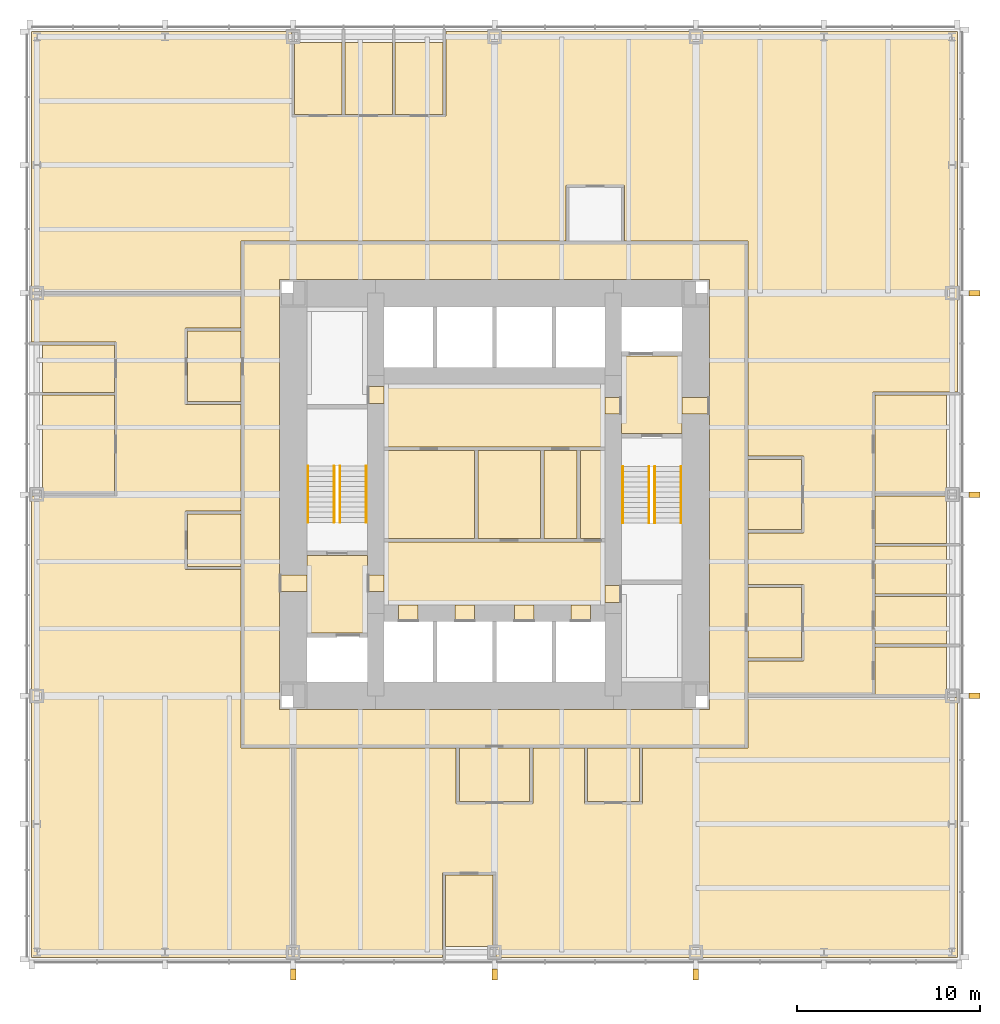
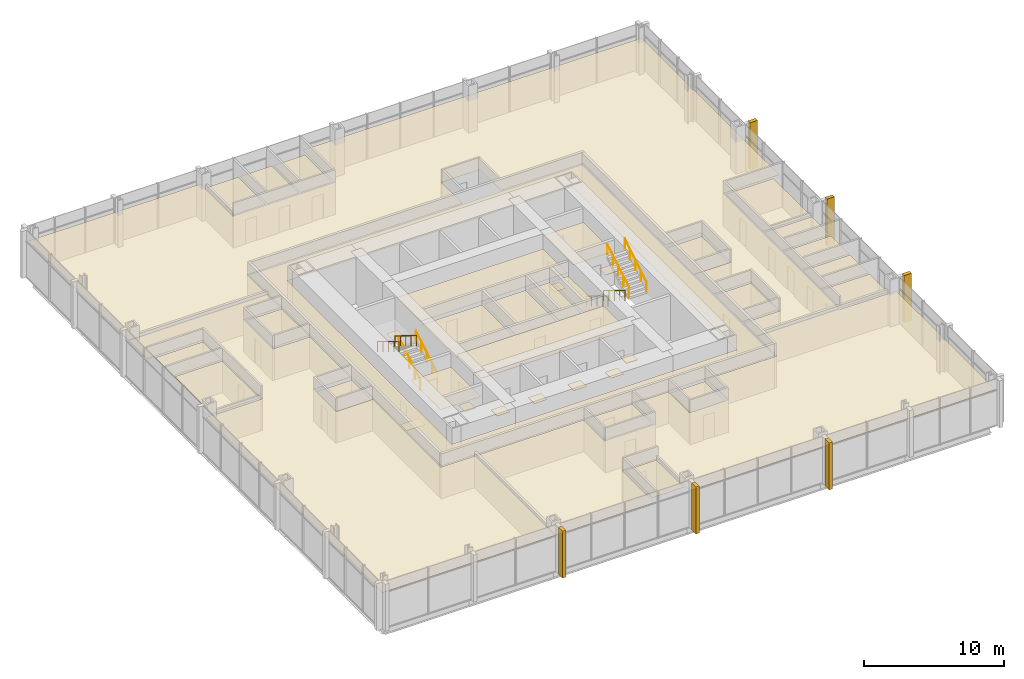
# One storey, part 12 of 12: 45 coverings, 8 railings.
"""IFC4 building model written with IfcOpenShell, lengths in metres."""

from ifc_helpers import new_model, si_unit, direction, frame, origin, origin_2d, place, context, subcontext, project, spatial, polyline, rectangle, circle, outline, extrude, material, layer, layer_set, type_object, element, save


model = new_model("IFC4")

# Units and contexts
model_context = context("Model", 3, precision=1e-05, world=origin(), true_north=direction((0.0, 1.0)))
body_context = subcontext(model_context, "Body", "Model", "MODEL_VIEW")
ifc_project = project(units=[si_unit("LENGTHUNIT", "METRE"), si_unit("AREAUNIT", "SQUARE_METRE"), si_unit("VOLUMEUNIT", "CUBIC_METRE"), si_unit("PLANEANGLEUNIT", "RADIAN"), si_unit("MASSUNIT", "GRAM", prefix="KILO")], contexts=[model_context])

# Site, building, storey
site_placement = place(None, origin())
site = spatial("IfcSite", under=ifc_project, at=site_placement, CompositionType="ELEMENT")
building_placement = place(site_placement, origin())
building = spatial("IfcBuilding", under=site, at=building_placement, Name="Trevanion Tower", CompositionType="ELEMENT")
storey_placement = place(building_placement, frame((0.0, 0.0, 40.60009765625)))
storey = spatial("IfcBuildingStorey", under=building, at=storey_placement, Name="L09", CompositionType="ELEMENT", Elevation=40.60009765625)

# Coverings
ifc_material_1 = material(Name="Fibrous plaster coffers on suspended steel grid", Category="steel")
ifc_layer_1 = layer(ifc_material_1, 0.050048828125)
ifc_layer_set_1 = layer_set([ifc_layer_1], Name="CL1 coffered fibrous plaster ceiling 50")
covering_type_1 = type_object("IfcCoveringType", Name="CL1 coffered fibrous plaster ceiling 50", PredefinedType="CEILING", material=ifc_layer_set_1)
covering_1_placement = place(storey_placement, frame((0.0, 0.0, 3.0)))
element("IfcCovering", 1, at=covering_1_placement, inside=storey, type_object=covering_type_1, Name="CL1 L09-LBS", PredefinedType="CEILING", context=body_context, shape_type="SweptSolid", body=[
    extrude(outline(polyline([(6.050048828125, -6.050048828125), (6.050048828125, -2.60009765625), (-6.050048828125, -2.60009765625), (-6.050048828125, -6.050048828125), (6.050048828125, -6.050048828125)])), origin(), (0.0, 0.0, 1.0), 0.0498046875),
])
ifc_material_2 = material(Name="Mineral fibre acoustic tiles in exposed grid", Category="mineral fibre")
ifc_layer_2 = layer(ifc_material_2, 0.02001953125)
ifc_layer_set_2 = layer_set([ifc_layer_2], Name="CL2 acoustic tile ceiling 20")
covering_type_2 = type_object("IfcCoveringType", Name="CL2 acoustic tile ceiling 20", PredefinedType="CEILING", material=ifc_layer_set_2)
covering_2_placement = place(storey_placement, frame((0.0, 0.0, 2.75)))
element("IfcCovering", 2, at=covering_2_placement, inside=storey, type_object=covering_type_2, Name="CL2 L09-LBN", PredefinedType="CEILING", context=body_context, shape_type="SweptSolid", body=[
    extrude(outline(polyline([(6.050048828125, 2.60009765625), (6.050048828125, 6.050048828125), (-6.050048828125, 6.050048828125), (-6.050048828125, 2.60009765625), (6.050048828125, 2.60009765625)])), origin(), (0.0, 0.0, 1.0), 0.02001953125),
])
covering_3_placement = place(storey_placement, frame((0.0, 0.0, 2.75)))
element("IfcCovering", 3, at=covering_3_placement, inside=storey, type_object=covering_type_2, Name="CL2 L09-CO", PredefinedType="CEILING", context=body_context, shape_type="SweptSolid", body=[
    extrude(outline(polyline([(-13.75, 13.75), (13.75, 13.75), (13.75, -13.75), (-13.75, -13.75), (-13.75, 13.75)]), holes=[polyline([(-11.75, 11.75), (-11.75, -11.75), (11.75, -11.75), (11.75, 11.75), (-11.75, 11.75)])]), origin(), (0.0, 0.0, 1.0), 0.02001953125),
])
covering_4_placement = place(storey_placement, frame((0.0, 0.0, 2.75)))
element("IfcCovering", 4, at=covering_4_placement, inside=storey, type_object=covering_type_2, Name="CL2 L09-OF", PredefinedType="CEILING", context=body_context, shape_type="SweptSolid", body=[
    extrude(outline(polyline([(20.77490234375, -10.925048828125), (20.77490234375, -8.324951171875), (24.699951171875, -8.324951171875), (24.699951171875, -10.925048828125), (20.77490234375, -10.925048828125)])), origin(), (0.0, 0.0, 1.0), 0.02001953125),
])
covering_5_placement = place(storey_placement, frame((0.0, 0.0, 2.75)))
element("IfcCovering", 5, at=covering_5_placement, inside=storey, type_object=covering_type_2, Name="CL2 L09-OF2", PredefinedType="CEILING", context=body_context, shape_type="SweptSolid", body=[
    extrude(outline(polyline([(20.77490234375, -8.175048828125), (20.77490234375, -5.574951171875), (24.699951171875, -5.574951171875), (24.699951171875, -8.175048828125), (20.77490234375, -8.175048828125)])), origin(), (0.0, 0.0, 1.0), 0.02001953125),
])
covering_6_placement = place(storey_placement, frame((0.0, 0.0, 2.75)))
element("IfcCovering", 6, at=covering_6_placement, inside=storey, type_object=covering_type_2, Name="CL2 L09-OF3", PredefinedType="CEILING", context=body_context, shape_type="SweptSolid", body=[
    extrude(outline(polyline([(20.77490234375, -5.425048828125), (20.77490234375, -2.824951171875), (24.699951171875, -2.824951171875), (24.699951171875, -5.425048828125), (20.77490234375, -5.425048828125)])), origin(), (0.0, 0.0, 1.0), 0.02001953125),
])
covering_7_placement = place(storey_placement, frame((0.0, 0.0, 2.75)))
element("IfcCovering", 7, at=covering_7_placement, inside=storey, type_object=covering_type_2, Name="CL2 L09-OF4", PredefinedType="CEILING", context=body_context, shape_type="SweptSolid", body=[
    extrude(outline(polyline([(20.77490234375, -2.675048828125), (20.77490234375, -0.074951171875), (24.699951171875, -0.074951171875), (24.699951171875, -2.675048828125), (20.77490234375, -2.675048828125)])), origin(), (0.0, 0.0, 1.0), 0.02001953125),
])
covering_8_placement = place(storey_placement, frame((0.0, 0.0, 2.75)))
element("IfcCovering", 8, at=covering_8_placement, inside=storey, type_object=covering_type_2, Name="CL2 L09-MR", PredefinedType="CEILING", context=body_context, shape_type="SweptSolid", body=[
    extrude(outline(polyline([(20.77490234375, 0.074951171875), (20.77490234375, 5.425048828125), (24.699951171875, 5.425048828125), (24.699951171875, 0.074951171875), (20.77490234375, 0.074951171875)])), origin(), (0.0, 0.0, 1.0), 0.02001953125),
])
covering_9_placement = place(storey_placement, frame((0.0, 0.0, 2.75)))
element("IfcCovering", 9, at=covering_9_placement, inside=storey, type_object=covering_type_2, Name="CL2 L09-OF5", PredefinedType="CEILING", context=body_context, shape_type="SweptSolid", body=[
    extrude(outline(polyline([(-2.824951171875, 20.77490234375), (-5.425048828125, 20.77490234375), (-5.425048828125, 24.699951171875), (-2.824951171875, 24.699951171875), (-2.824951171875, 20.77490234375)])), origin(), (0.0, 0.0, 1.0), 0.02001953125),
])
covering_10_placement = place(storey_placement, frame((0.0, 0.0, 2.75)))
element("IfcCovering", 10, at=covering_10_placement, inside=storey, type_object=covering_type_2, Name="CL2 L09-OF6", PredefinedType="CEILING", context=body_context, shape_type="SweptSolid", body=[
    extrude(outline(polyline([(-5.574951171875, 20.77490234375), (-8.175048828125, 20.77490234375), (-8.175048828125, 24.699951171875), (-5.574951171875, 24.699951171875), (-5.574951171875, 20.77490234375)])), origin(), (0.0, 0.0, 1.0), 0.02001953125),
])
covering_11_placement = place(storey_placement, frame((0.0, 0.0, 2.75)))
element("IfcCovering", 11, at=covering_11_placement, inside=storey, type_object=covering_type_2, Name="CL2 L09-OF7", PredefinedType="CEILING", context=body_context, shape_type="SweptSolid", body=[
    extrude(outline(polyline([(-8.324951171875, 20.77490234375), (-10.925048828125, 20.77490234375), (-10.925048828125, 24.699951171875), (-8.324951171875, 24.699951171875), (-8.324951171875, 20.77490234375)])), origin(), (0.0, 0.0, 1.0), 0.02001953125),
])
covering_12_placement = place(storey_placement, frame((0.0, 0.0, 2.75)))
element("IfcCovering", 12, at=covering_12_placement, inside=storey, type_object=covering_type_2, Name="CL2 L09-OF8", PredefinedType="CEILING", context=body_context, shape_type="SweptSolid", body=[
    extrude(outline(polyline([(-20.77490234375, 8.175048828125), (-20.77490234375, 5.574951171875), (-24.699951171875, 5.574951171875), (-24.699951171875, 8.175048828125), (-20.77490234375, 8.175048828125)])), origin(), (0.0, 0.0, 1.0), 0.02001953125),
])
covering_13_placement = place(storey_placement, frame((0.0, 0.0, 2.75)))
element("IfcCovering", 13, at=covering_13_placement, inside=storey, type_object=covering_type_2, Name="CL2 L09-MR2", PredefinedType="CEILING", context=body_context, shape_type="SweptSolid", body=[
    extrude(outline(polyline([(-20.77490234375, 5.425048828125), (-20.77490234375, 0.074951171875), (-24.699951171875, 0.074951171875), (-24.699951171875, 5.425048828125), (-20.77490234375, 5.425048828125)])), origin(), (0.0, 0.0, 1.0), 0.02001953125),
])
covering_14_placement = place(storey_placement, frame((0.0, 0.0, 2.75)))
element("IfcCovering", 14, at=covering_14_placement, inside=storey, type_object=covering_type_2, Name="CL2 L09-FR", PredefinedType="CEILING", context=body_context, shape_type="SweptSolid", body=[
    extrude(outline(polyline([(-2.675048828125, -20.77490234375), (-0.074951171875, -20.77490234375), (-0.074951171875, -24.699951171875), (-2.675048828125, -24.699951171875), (-2.675048828125, -20.77490234375)])), origin(), (0.0, 0.0, 1.0), 0.02001953125),
])
covering_15_placement = place(storey_placement, frame((0.0, 0.0, 2.75)))
element("IfcCovering", 15, at=covering_15_placement, inside=storey, type_object=covering_type_2, Name="CL2 L09-RC", PredefinedType="CEILING", context=body_context, shape_type="SweptSolid", body=[
    extrude(outline(polyline([(13.85009765625, -8.925048828125), (13.85009765625, -5.074951171875), (16.77490234375, -5.074951171875), (16.77490234375, -8.925048828125), (13.85009765625, -8.925048828125)])), origin(), (0.0, 0.0, 1.0), 0.02001953125),
])
covering_16_placement = place(storey_placement, frame((0.0, 0.0, 2.75)))
element("IfcCovering", 16, at=covering_16_placement, inside=storey, type_object=covering_type_2, Name="CL2 L09-RC2", PredefinedType="CEILING", context=body_context, shape_type="SweptSolid", body=[
    extrude(outline(polyline([(-13.85009765625, 8.925048828125), (-13.85009765625, 5.074951171875), (-16.77490234375, 5.074951171875), (-16.77490234375, 8.925048828125), (-13.85009765625, 8.925048828125)])), origin(), (0.0, 0.0, 1.0), 0.02001953125),
])
covering_17_placement = place(storey_placement, frame((0.0, 0.0, 2.75)))
element("IfcCovering", 17, at=covering_17_placement, inside=storey, type_object=covering_type_2, Name="CL2 L09-RC3", PredefinedType="CEILING", context=body_context, shape_type="SweptSolid", body=[
    extrude(outline(polyline([(-1.925048828125, -13.85009765625), (1.925048828125, -13.85009765625), (1.925048828125, -16.77490234375), (-1.925048828125, -16.77490234375), (-1.925048828125, -13.85009765625)])), origin(), (0.0, 0.0, 1.0), 0.02001953125),
])
covering_18_placement = place(storey_placement, frame((0.0, 0.0, 2.75)))
element("IfcCovering", 18, at=covering_18_placement, inside=storey, type_object=covering_type_2, Name="CL2 L09-OP", PredefinedType="CEILING", context=body_context, shape_type="SweptSolid", body=[
    extrude(outline(polyline([(13.85009765625, 13.85009765625), (7.094970703125, 13.85009765625), (7.094970703125, 16.8701171875), (3.905029296875, 16.8701171875), (3.905029296875, 13.85009765625), (-13.85009765625, 13.85009765625), (-13.85009765625, 11.0), (-25.300048828125, 11.0), (-25.300048828125, 25.300048828125), (-11.094970703125, 25.300048828125), (-11.094970703125, 20.679931640625), (-2.655029296875, 20.679931640625), (-2.655029296875, 25.300048828125), (25.300048828125, 25.300048828125), (25.300048828125, 5.594970703125), (20.679931640625, 5.594970703125), (20.679931640625, -11.0), (13.85009765625, -11.0), (13.85009765625, -9.094970703125), (16.8701171875, -9.094970703125), (16.8701171875, -4.905029296875), (13.85009765625, -4.905029296875), (13.85009765625, -2.094970703125), (16.8701171875, -2.094970703125), (16.8701171875, 2.094970703125), (13.85009765625, 2.094970703125), (13.85009765625, 13.85009765625)])), origin(), (0.0, 0.0, 1.0), 0.02001953125),
])
covering_19_placement = place(storey_placement, frame((0.0, 0.0, 2.75)))
element("IfcCovering", 19, at=covering_19_placement, inside=storey, type_object=covering_type_2, Name="CL2 L09-OP2", PredefinedType="CEILING", context=body_context, shape_type="SweptSolid", body=[
    extrude(outline(polyline([(-13.85009765625, 9.094970703125), (-16.8701171875, 9.094970703125), (-16.8701171875, 4.905029296875), (-13.85009765625, 4.905029296875), (-13.85009765625, -0.905029296875), (-16.8701171875, -0.905029296875), (-16.8701171875, -4.094970703125), (-13.85009765625, -4.094970703125), (-13.85009765625, -13.85009765625), (-11.0, -13.85009765625), (-11.0, -25.300048828125), (-25.300048828125, -25.300048828125), (-25.300048828125, -0.094970703125), (-20.679931640625, -0.094970703125), (-20.679931640625, 8.344970703125), (-25.300048828125, 8.344970703125), (-25.300048828125, 11.0), (-13.85009765625, 11.0), (-13.85009765625, 9.094970703125)])), origin(), (0.0, 0.0, 1.0), 0.02001953125),
])
covering_20_placement = place(storey_placement, frame((0.0, 0.0, 2.75)))
element("IfcCovering", 20, at=covering_20_placement, inside=storey, type_object=covering_type_2, Name="CL2 L09-OP3", PredefinedType="CEILING", context=body_context, shape_type="SweptSolid", body=[
    extrude(outline(polyline([(-2.094970703125, -13.85009765625), (-2.094970703125, -16.8701171875), (2.094970703125, -16.8701171875), (2.094970703125, -13.85009765625), (4.905029296875, -13.85009765625), (4.905029296875, -16.8701171875), (8.094970703125, -16.8701171875), (8.094970703125, -13.85009765625), (13.85009765625, -13.85009765625), (13.85009765625, -11.0), (20.679931640625, -11.0), (20.679931640625, -11.094970703125), (25.300048828125, -11.094970703125), (25.300048828125, -25.300048828125), (0.094970703125, -25.300048828125), (0.094970703125, -20.679931640625), (-2.844970703125, -20.679931640625), (-2.844970703125, -25.300048828125), (-11.0, -25.300048828125), (-11.0, -13.85009765625), (-2.094970703125, -13.85009765625)])), origin(), (0.0, 0.0, 1.0), 0.02001953125),
])
ifc_material_3 = material(Name="Gypsum plasterboard on suspended metal furring", Category="gypsum")
ifc_layer_3 = layer(ifc_material_3, 0.012939453125)
ifc_layer_set_3 = layer_set([ifc_layer_3], Name="CL3 plasterboard ceiling 13")
covering_type_3 = type_object("IfcCoveringType", Name="CL3 plasterboard ceiling 13", PredefinedType="CEILING", material=ifc_layer_set_3)
covering_21_placement = place(storey_placement, frame((0.0, 0.0, 2.699951171875)))
element("IfcCovering", 21, at=covering_21_placement, inside=storey, type_object=covering_type_3, Name="CL3 L09-FV1", PredefinedType="CEILING", context=body_context, shape_type="SweptSolid", body=[
    extrude(outline(polyline([(10.25, 3.324951171875), (10.25, 7.574951171875), (6.949951171875, 7.574951171875), (6.949951171875, 3.324951171875), (10.25, 3.324951171875)])), origin(), (0.0, 0.0, 1.0), 0.012939453125),
])
covering_22_placement = place(storey_placement, frame((0.0, 0.0, 2.699951171875)))
element("IfcCovering", 22, at=covering_22_placement, inside=storey, type_object=covering_type_3, Name="CL3 L09-FV2", PredefinedType="CEILING", context=body_context, shape_type="SweptSolid", body=[
    extrude(outline(polyline([(-10.25, -3.324951171875), (-10.25, -7.574951171875), (-6.949951171875, -7.574951171875), (-6.949951171875, -3.324951171875), (-10.25, -3.324951171875)])), origin(), (0.0, 0.0, 1.0), 0.012939453125),
])
ifc_material_4 = material(Name="Moisture-resistant gypsum board on suspended metal furring", Category="gypsum")
ifc_layer_4 = layer(ifc_material_4, 0.01611328125)
ifc_layer_set_4 = layer_set([ifc_layer_4], Name="CL4 moisture-resistant board ceiling 16")
covering_type_4 = type_object("IfcCoveringType", Name="CL4 moisture-resistant board ceiling 16", PredefinedType="CEILING", material=ifc_layer_set_4)
covering_23_placement = place(storey_placement, frame((0.0, 0.0, 2.599853515625)))
element("IfcCovering", 23, at=covering_23_placement, inside=storey, type_object=covering_type_4, Name="CL4 L09-WCM", PredefinedType="CEILING", context=body_context, shape_type="SweptSolid", body=[
    extrude(outline(polyline([(-1.10009765625, -2.39990234375), (-1.10009765625, 2.39990234375), (-6.050048828125, 2.39990234375), (-6.050048828125, -2.39990234375), (-1.10009765625, -2.39990234375)])), origin(), (0.0, 0.0, 1.0), 0.01611328125),
])
covering_24_placement = place(storey_placement, frame((0.0, 0.0, 2.599853515625)))
element("IfcCovering", 24, at=covering_24_placement, inside=storey, type_object=covering_type_4, Name="CL4 L09-WCF", PredefinedType="CEILING", context=body_context, shape_type="SweptSolid", body=[
    extrude(outline(polyline([(2.5, -2.39990234375), (2.5, 2.39990234375), (-0.89990234375, 2.39990234375), (-0.89990234375, -2.39990234375), (2.5, -2.39990234375)])), origin(), (0.0, 0.0, 1.0), 0.01611328125),
])
covering_25_placement = place(storey_placement, frame((0.0, 0.0, 2.599853515625)))
element("IfcCovering", 25, at=covering_25_placement, inside=storey, type_object=covering_type_4, Name="CL4 L09-WCA", PredefinedType="CEILING", context=body_context, shape_type="SweptSolid", body=[
    extrude(outline(polyline([(4.5, -2.39990234375), (4.5, 2.39990234375), (2.699951171875, 2.39990234375), (2.699951171875, -2.39990234375), (4.5, -2.39990234375)])), origin(), (0.0, 0.0, 1.0), 0.01611328125),
])
covering_26_placement = place(storey_placement, frame((0.0, 0.0, 2.599853515625)))
element("IfcCovering", 26, at=covering_26_placement, inside=storey, type_object=covering_type_4, Name="CL4 L09-SH", PredefinedType="CEILING", context=body_context, shape_type="SweptSolid", body=[
    extrude(outline(polyline([(6.050048828125, -2.39990234375), (6.050048828125, 2.39990234375), (4.699951171875, 2.39990234375), (4.699951171875, -2.39990234375), (6.050048828125, -2.39990234375)])), origin(), (0.0, 0.0, 1.0), 0.01611328125),
])
covering_27_placement = place(storey_placement, frame((0.0, 0.0, 2.599853515625)))
element("IfcCovering", 27, at=covering_27_placement, inside=storey, type_object=covering_type_4, Name="CL4 L09-PA", PredefinedType="CEILING", context=body_context, shape_type="SweptSolid", body=[
    extrude(outline(polyline([(13.85009765625, -1.925048828125), (13.85009765625, 1.925048828125), (16.77490234375, 1.925048828125), (16.77490234375, -1.925048828125), (13.85009765625, -1.925048828125)])), origin(), (0.0, 0.0, 1.0), 0.01611328125),
])
covering_28_placement = place(storey_placement, frame((0.0, 0.0, 2.599853515625)))
element("IfcCovering", 28, at=covering_28_placement, inside=storey, type_object=covering_type_4, Name="CL4 L09-PA2", PredefinedType="CEILING", context=body_context, shape_type="SweptSolid", body=[
    extrude(outline(polyline([(-13.85009765625, -1.074951171875), (-13.85009765625, -3.925048828125), (-16.77490234375, -3.925048828125), (-16.77490234375, -1.074951171875), (-13.85009765625, -1.074951171875)])), origin(), (0.0, 0.0, 1.0), 0.01611328125),
])
covering_29_placement = place(storey_placement, frame((0.0, 0.0, 2.599853515625)))
element("IfcCovering", 29, at=covering_29_placement, inside=storey, type_object=covering_type_4, Name="CL4 L09-PA3", PredefinedType="CEILING", context=body_context, shape_type="SweptSolid", body=[
    extrude(outline(polyline([(5.074951171875, -13.85009765625), (7.925048828125, -13.85009765625), (7.925048828125, -16.77490234375), (5.074951171875, -16.77490234375), (5.074951171875, -13.85009765625)])), origin(), (0.0, 0.0, 1.0), 0.01611328125),
])
ifc_material_5 = material(Name="Cast bronze fin on aluminium carrier", Category="aluminium")
covering_type_5 = type_object("IfcCoveringType", Name="F1 bronze fin", PredefinedType="CLADDING", material=ifc_material_5)
for number, where, z_axis, x_axis, name in (
    (30, (26.22509765625, -11.0, -0.190185546875), (0.0, 0.0, 1.0), (0.0, 1.0, 0.0), "F1 L09 east -11.0"),
    (31, (26.22509765625, 0.0, -0.190185546875), (0.0, 0.0, 1.0), (0.0, 1.0, 0.0), "F1 L09 east +0.0"),
    (32, (26.22509765625, 11.0, -0.190185546875), (0.0, 0.0, 1.0), (0.0, 1.0, 0.0), "F1 L09 east +11.0"),
    (33, (-11.0, -26.22509765625, -0.190185546875), (0.0, 0.0, 1.0), (1.0, 0.0, 0.0), "F1 L09 south -11.0"),
    (34, (0.0, -26.22509765625, -0.190185546875), (0.0, 0.0, 1.0), (1.0, 0.0, 0.0), "F1 L09 south +0.0"),
    (35, (11.0, -26.22509765625, -0.190185546875), (0.0, 0.0, 1.0), (1.0, 0.0, 0.0), "F1 L09 south +11.0"),
):
    element("IfcCovering", number, at=place(storey_placement, frame(where, z_axis=z_axis, x_axis=x_axis)), inside=storey, type_object=covering_type_5, Name=name, PredefinedType="CLADDING", context=body_context, shape_type="SweptSolid", body=[
        extrude(rectangle(XDim=0.300048828125, YDim=0.60009765625, at=origin_2d()), origin(), (0.0, 0.0, 1.0), 4.10009765625),
    ])
ifc_material_6 = material(Name="Terrazzo, brass divider strips", Category="stone")
ifc_layer_5 = layer(ifc_material_6, 0.02001953125)
ifc_layer_set_5 = layer_set([ifc_layer_5], Name="FF1 terrazzo flooring")
covering_type_6 = type_object("IfcCoveringType", Name="FF1 terrazzo flooring", PredefinedType="FLOORING", material=ifc_layer_set_5)
covering_30_placement = place(storey_placement, origin())
element("IfcCovering", 36, at=covering_30_placement, inside=storey, type_object=covering_type_6, Name="FF1 threshold 09-001", PredefinedType="FLOORING", context=body_context, shape_type="SweptSolid", body=[
    extrude(outline(polyline([(11.75, 4.392578125), (11.75, 5.3076171875), (10.25, 5.3076171875), (10.25, 4.392578125), (11.75, 4.392578125)])), origin(), (0.0, 0.0, 1.0), 0.02001953125),
])
covering_31_placement = place(storey_placement, origin())
element("IfcCovering", 37, at=covering_31_placement, inside=storey, type_object=covering_type_6, Name="FF1 threshold 09-002", PredefinedType="FLOORING", context=body_context, shape_type="SweptSolid", body=[
    extrude(outline(polyline([(-11.75, -4.392578125), (-11.75, -5.3076171875), (-10.25, -5.3076171875), (-10.25, -4.392578125), (-11.75, -4.392578125)])), origin(), (0.0, 0.0, 1.0), 0.02001953125),
])
covering_32_placement = place(storey_placement, origin())
element("IfcCovering", 38, at=covering_32_placement, inside=storey, type_object=covering_type_6, Name="FF1 threshold 09-003", PredefinedType="FLOORING", context=body_context, shape_type="SweptSolid", body=[
    extrude(outline(polyline([(6.949951171875, 4.392578125), (6.949951171875, 5.3076171875), (6.050048828125, 5.3076171875), (6.050048828125, 4.392578125), (6.949951171875, 4.392578125)])), origin(), (0.0, 0.0, 1.0), 0.02001953125),
])
covering_33_placement = place(storey_placement, origin())
element("IfcCovering", 39, at=covering_33_placement, inside=storey, type_object=covering_type_6, Name="FF1 threshold 09-004", PredefinedType="FLOORING", context=body_context, shape_type="SweptSolid", body=[
    extrude(outline(polyline([(-6.949951171875, -4.392578125), (-6.949951171875, -5.3076171875), (-6.050048828125, -5.3076171875), (-6.050048828125, -4.392578125), (-6.949951171875, -4.392578125)])), origin(), (0.0, 0.0, 1.0), 0.02001953125),
])
covering_34_placement = place(storey_placement, origin())
element("IfcCovering", 40, at=covering_34_placement, inside=storey, type_object=covering_type_6, Name="FF1 threshold 09-009", PredefinedType="FLOORING", context=body_context, shape_type="SweptSolid", body=[
    extrude(outline(polyline([(6.949951171875, -5.889892578125), (6.949951171875, -4.97509765625), (6.050048828125, -4.97509765625), (6.050048828125, -5.889892578125), (6.949951171875, -5.889892578125)])), origin(), (0.0, 0.0, 1.0), 0.02001953125),
])
covering_35_placement = place(storey_placement, origin())
element("IfcCovering", 41, at=covering_35_placement, inside=storey, type_object=covering_type_6, Name="FF1 threshold 09-010", PredefinedType="FLOORING", context=body_context, shape_type="SweptSolid", body=[
    extrude(outline(polyline([(-6.949951171875, 5.889892578125), (-6.949951171875, 4.97509765625), (-6.050048828125, 4.97509765625), (-6.050048828125, 5.889892578125), (-6.949951171875, 5.889892578125)])), origin(), (0.0, 0.0, 1.0), 0.02001953125),
])
covering_36_placement = place(storey_placement, origin())
element("IfcCovering", 42, at=covering_36_placement, inside=storey, type_object=covering_type_6, Name="FF1 threshold 09-011", PredefinedType="FLOORING", context=body_context, shape_type="SweptSolid", body=[
    extrude(outline(polyline([(-5.2333984375, -6.949951171875), (-4.16650390625, -6.949951171875), (-4.16650390625, -6.050048828125), (-5.2333984375, -6.050048828125), (-5.2333984375, -6.949951171875)])), origin(), (0.0, 0.0, 1.0), 0.02001953125),
])
covering_37_placement = place(storey_placement, origin())
element("IfcCovering", 43, at=covering_37_placement, inside=storey, type_object=covering_type_6, Name="FF1 threshold 09-012", PredefinedType="FLOORING", context=body_context, shape_type="SweptSolid", body=[
    extrude(outline(polyline([(-2.158447265625, -6.949951171875), (-1.091552734375, -6.949951171875), (-1.091552734375, -6.050048828125), (-2.158447265625, -6.050048828125), (-2.158447265625, -6.949951171875)])), origin(), (0.0, 0.0, 1.0), 0.02001953125),
])
covering_38_placement = place(storey_placement, origin())
element("IfcCovering", 44, at=covering_38_placement, inside=storey, type_object=covering_type_6, Name="FF1 threshold 09-013", PredefinedType="FLOORING", context=body_context, shape_type="SweptSolid", body=[
    extrude(outline(polyline([(1.091552734375, -6.949951171875), (2.158447265625, -6.949951171875), (2.158447265625, -6.050048828125), (1.091552734375, -6.050048828125), (1.091552734375, -6.949951171875)])), origin(), (0.0, 0.0, 1.0), 0.02001953125),
])
covering_39_placement = place(storey_placement, origin())
element("IfcCovering", 45, at=covering_39_placement, inside=storey, type_object=covering_type_6, Name="FF1 threshold 09-014", PredefinedType="FLOORING", context=body_context, shape_type="SweptSolid", body=[
    extrude(outline(polyline([(4.16650390625, -6.949951171875), (5.2333984375, -6.949951171875), (5.2333984375, -6.050048828125), (4.16650390625, -6.050048828125), (4.16650390625, -6.949951171875)])), origin(), (0.0, 0.0, 1.0), 0.02001953125),
])

# Railings
ifc_material_7 = material(Name="Stainless steel tube 40 mm", Category="steel")
railing_type = type_object("IfcRailingType", Name="HR1 handrail", PredefinedType="HANDRAIL", material=ifc_material_7)
for number, where, name in (
    (46, (7.010009765625, 1.52490234375, 0.170654296875), "HR1 ST1 L09 flight 1"),
    (47, (8.43994140625, 1.52490234375, 0.170654296875), "HR1 ST1 L09 flight 1"),
):
    element("IfcRailing", number, at=place(storey_placement, frame(where)), inside=storey, type_object=railing_type, Name=name, PredefinedType="HANDRAIL", context=body_context, shape_type="SweptSolid", body=[
        extrude(circle(Radius=0.02001953125, at=origin_2d()), frame((0.0, 0.0, 0.8798828125), z_axis=(0.0, -0.853647949592, 0.520850437417), x_axis=(1.0, 0.0, 0.0)), (0.0, 0.0, 1.0), 3.60791015625),
        extrude(circle(Radius=0.01513671875, at=origin_2d()), origin(), (0.0, 0.0, 1.0), 0.85986328125),
        extrude(circle(Radius=0.01513671875, at=origin_2d()), frame((0.0, -0.77001953125, 0.4697265625)), (0.0, 0.0, 1.0), 0.85986328125),
        extrude(circle(Radius=0.01513671875, at=origin_2d()), frame((0.0, -1.5400390625, 0.939453125)), (0.0, 0.0, 1.0), 0.85986328125),
        extrude(circle(Radius=0.01513671875, at=origin_2d()), frame((0.0, -2.309814453125, 1.409423828125)), (0.0, 0.0, 1.0), 0.85986328125),
        extrude(circle(Radius=0.01513671875, at=origin_2d()), frame((0.0, -3.079833984375, 1.879150390625)), (0.0, 0.0, 1.0), 0.85986328125),
    ])
for number, where, name in (
    (48, (8.760009765625, -1.554931640625, 2.220703125), "HR1 ST1 L09 flight 2"),
    (49, (10.18994140625, -1.554931640625, 2.220703125), "HR1 ST1 L09 flight 2"),
    (50, (-7.010009765625, -1.52490234375, 0.170654296875), "HR1 ST2 L09 flight 1"),
    (51, (-8.43994140625, -1.52490234375, 0.170654296875), "HR1 ST2 L09 flight 1"),
):
    element("IfcRailing", number, at=place(storey_placement, frame(where)), inside=storey, type_object=railing_type, Name=name, PredefinedType="HANDRAIL", context=body_context, shape_type="SweptSolid", body=[
        extrude(circle(Radius=0.02001953125, at=origin_2d()), frame((0.0, 0.0, 0.8798828125), z_axis=(0.0, 0.853647949592, 0.520850437417), x_axis=(-1.0, 0.0, 0.0)), (0.0, 0.0, 1.0), 3.60791015625),
        extrude(circle(Radius=0.01513671875, at=origin_2d()), origin(), (0.0, 0.0, 1.0), 0.85986328125),
        extrude(circle(Radius=0.01513671875, at=origin_2d()), frame((0.0, 0.77001953125, 0.4697265625)), (0.0, 0.0, 1.0), 0.85986328125),
        extrude(circle(Radius=0.01513671875, at=origin_2d()), frame((0.0, 1.5400390625, 0.939453125)), (0.0, 0.0, 1.0), 0.85986328125),
        extrude(circle(Radius=0.01513671875, at=origin_2d()), frame((0.0, 2.309814453125, 1.409423828125)), (0.0, 0.0, 1.0), 0.85986328125),
        extrude(circle(Radius=0.01513671875, at=origin_2d()), frame((0.0, 3.079833984375, 1.879150390625)), (0.0, 0.0, 1.0), 0.85986328125),
    ])
for number, where, name in (
    (52, (-8.760009765625, 1.554931640625, 2.220703125), "HR1 ST2 L09 flight 2"),
    (53, (-10.18994140625, 1.554931640625, 2.220703125), "HR1 ST2 L09 flight 2"),
):
    element("IfcRailing", number, at=place(storey_placement, frame(where)), inside=storey, type_object=railing_type, Name=name, PredefinedType="HANDRAIL", context=body_context, shape_type="SweptSolid", body=[
        extrude(circle(Radius=0.02001953125, at=origin_2d()), frame((0.0, 0.0, 0.8798828125), z_axis=(0.0, -0.853647949592, 0.520850437417), x_axis=(1.0, 0.0, 0.0)), (0.0, 0.0, 1.0), 3.60791015625),
        extrude(circle(Radius=0.01513671875, at=origin_2d()), origin(), (0.0, 0.0, 1.0), 0.85986328125),
        extrude(circle(Radius=0.01513671875, at=origin_2d()), frame((0.0, -0.77001953125, 0.4697265625)), (0.0, 0.0, 1.0), 0.85986328125),
        extrude(circle(Radius=0.01513671875, at=origin_2d()), frame((0.0, -1.5400390625, 0.939453125)), (0.0, 0.0, 1.0), 0.85986328125),
        extrude(circle(Radius=0.01513671875, at=origin_2d()), frame((0.0, -2.309814453125, 1.409423828125)), (0.0, 0.0, 1.0), 0.85986328125),
        extrude(circle(Radius=0.01513671875, at=origin_2d()), frame((0.0, -3.079833984375, 1.879150390625)), (0.0, 0.0, 1.0), 0.85986328125),
    ])

save(model, "model.ifc")
